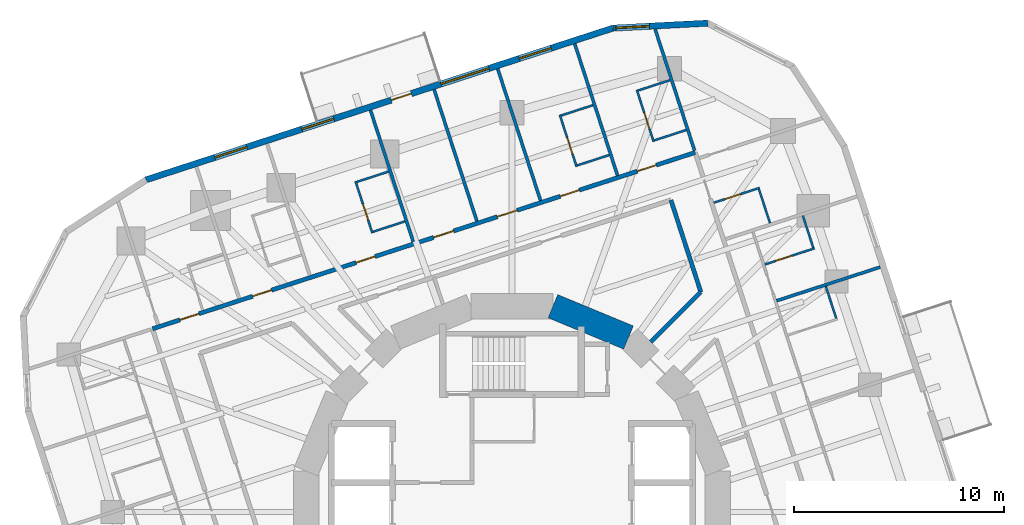
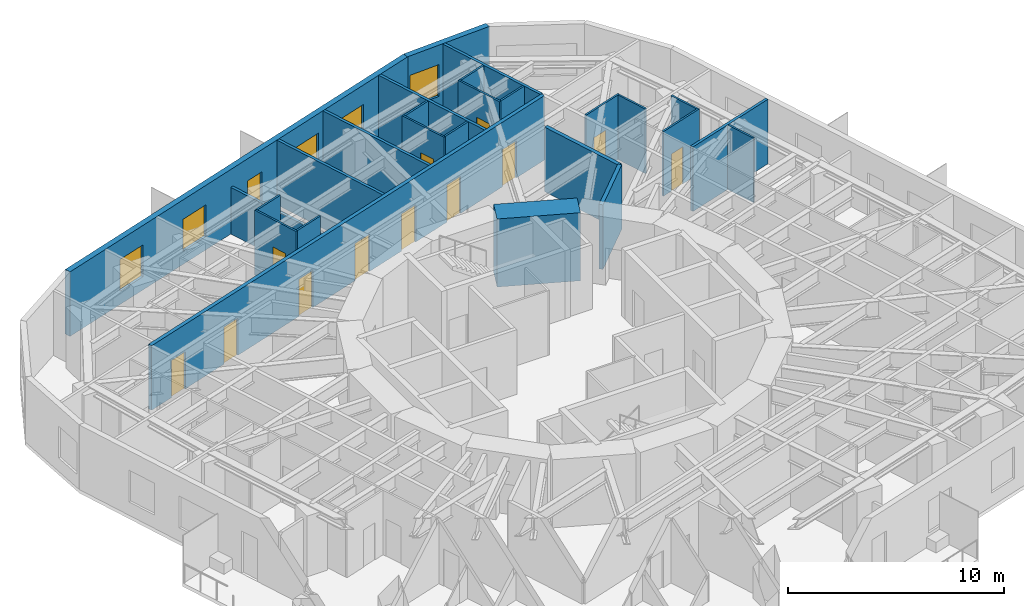
# One storey, part 9 of 12: 26 walls, 13 doors, 5 windows, 18 openings.
"""IFC4 building model written with IfcOpenShell, lengths in metres."""

from ifc_helpers import new_model, si_unit, direction, frame, frame_2d, origin, place, context, subcontext, project, spatial, rectangle, extrude, material, layer, layer_set, type_object, element, fill, save


model = new_model("IFC4")

# Units and contexts
model_context = context("Model", 3, precision=1e-05, world=origin(), true_north=direction((0.0, 1.0)))
body_context = subcontext(model_context, "Body", "Model", "MODEL_VIEW")
ifc_project = project(units=[si_unit("LENGTHUNIT", "METRE"), si_unit("AREAUNIT", "SQUARE_METRE"), si_unit("VOLUMEUNIT", "CUBIC_METRE"), si_unit("PLANEANGLEUNIT", "RADIAN"), si_unit("MASSUNIT", "GRAM", prefix="KILO")], contexts=[model_context])

# Site, building, storey
site_placement = place(None, origin())
site = spatial("IfcSite", under=ifc_project, at=site_placement, CompositionType="ELEMENT")
building_placement = place(site_placement, origin())
building = spatial("IfcBuilding", under=site, at=building_placement, Name="Nakasero Lantern House", CompositionType="ELEMENT")
storey_placement = place(building_placement, frame((0.0, 0.0, 172.60009765625)))
storey = spatial("IfcBuildingStorey", under=building, at=storey_placement, Name="L42", CompositionType="ELEMENT", Elevation=172.60009765625)

# Wall
ifc_material_1 = material(Name="Concrete C50/60", Category="concrete")
ifc_layer_1 = layer(ifc_material_1, 1.199951171875)
ifc_layer_set_1 = layer_set([ifc_layer_1], Name="Core wall 1200")
wall_type_1 = type_object("IfcWallType", Name="Core wall 1200", PredefinedType="SHEAR", material=ifc_layer_set_1)
wall_1_placement = place(storey_placement, frame((5.5556640625, 8.314697265625, 0.0), z_axis=(0.0, 0.0, 1.0), x_axis=(-0.923876507187, 0.382690736062, 0.0)))
element("IfcWall", 1, at=wall_1_placement, inside=storey, type_object=wall_type_1, Name="Core wall L42 facet 3", PredefinedType="SHEAR", context=body_context, shape_type="SweptSolid", body=[
    extrude(rectangle(XDim=3.90185546875, YDim=1.199951171875, at=frame_2d((1.950927734375, 0.0))), origin(), (0.0, 0.0, 1.0), 3.849853515625),
])

# Wall, openings, doors
ifc_material_2 = material(Name="Blockwork", Category="masonry")
ifc_layer_2 = layer(ifc_material_2, 0.199951171875)
ifc_layer_set_2 = layer_set([ifc_layer_2], Name="Corridor wall 200")
wall_type_2 = type_object("IfcWallType", Name="Corridor wall 200", PredefinedType="PARTITIONING", material=ifc_layer_set_2)
wall_2_placement = place(storey_placement, frame((8.731689453125, 17.136962890625, 0.0), z_axis=(0.0, 0.0, 1.0), x_axis=(-0.951056097323, -0.309018283835, 0.0)))
wall_2 = element("IfcWall", 2, at=wall_2_placement, inside=storey, type_object=wall_type_2, Name="Corridor wall L42 CW1", PredefinedType="PARTITIONING", context=body_context, shape_type="SweptSolid", body=[
    extrude(rectangle(XDim=27.199951171875, YDim=0.199951171875, at=frame_2d((13.60009765625, 0.0))), origin(), (0.0, 0.0, 1.0), 3.64990234375),
])
opening_1_placement = place(wall_2_placement, frame((1.949951171875, 0.0, 0.0)))
opening_1 = element("IfcOpeningElement", 3, at=opening_1_placement, cuts=wall_2, Name="Opening D01", PredefinedType="OPENING", context=body_context, shape_type="SweptSolid", body=[
    extrude(rectangle(XDim=0.949951171875, YDim=2.10009765625, at=frame_2d((0.47509765625, 1.050048828125))), frame((0.0, 0.119873046875, 0.0), z_axis=(0.0, -1.0, 0.0), x_axis=(1.0, 0.0, 0.0)), (0.0, 0.0, 1.0), 0.239990234375),
])
opening_2_placement = place(wall_2_placement, frame((5.8095703125, 0.0, 0.0)))
opening_2 = element("IfcOpeningElement", 4, at=opening_2_placement, cuts=wall_2, Name="Opening D01", PredefinedType="OPENING", context=body_context, shape_type="SweptSolid", body=[
    extrude(rectangle(XDim=0.949951171875, YDim=2.10009765625, at=frame_2d((0.47509765625, 1.050048828125))), frame((0.0, 0.119873046875, 0.0), z_axis=(0.0, -1.0, 0.0), x_axis=(1.0, 0.0, 0.0)), (0.0, 0.0, 1.0), 0.239990234375),
])
opening_3_placement = place(wall_2_placement, frame((16.047119140625, 0.0, 0.0)))
opening_3 = element("IfcOpeningElement", 5, at=opening_3_placement, cuts=wall_2, Name="Opening D01", PredefinedType="OPENING", context=body_context, shape_type="SweptSolid", body=[
    extrude(rectangle(XDim=0.949951171875, YDim=2.10009765625, at=frame_2d((0.47509765625, 1.050048828125))), frame((0.0, 0.119873046875, 0.0), z_axis=(0.0, -1.0, 0.0), x_axis=(1.0, 0.0, 0.0)), (0.0, 0.0, 1.0), 0.239990234375),
])
opening_4_placement = place(wall_2_placement, frame((21.22802734375, 0.0, 0.0)))
opening_4 = element("IfcOpeningElement", 6, at=opening_4_placement, cuts=wall_2, Name="Opening D01", PredefinedType="OPENING", context=body_context, shape_type="SweptSolid", body=[
    extrude(rectangle(XDim=0.949951171875, YDim=2.10009765625, at=frame_2d((0.47509765625, 1.050048828125))), frame((0.0, 0.119873046875, 0.0), z_axis=(0.0, -1.0, 0.0), x_axis=(1.0, 0.0, 0.0)), (0.0, 0.0, 1.0), 0.239990234375),
])
opening_5_placement = place(wall_2_placement, frame((24.872314453125, 0.0, 0.0)))
opening_5 = element("IfcOpeningElement", 7, at=opening_5_placement, cuts=wall_2, Name="Opening D01", PredefinedType="OPENING", context=body_context, shape_type="SweptSolid", body=[
    extrude(rectangle(XDim=0.949951171875, YDim=2.10009765625, at=frame_2d((0.47509765625, 1.050048828125))), frame((0.0, 0.119873046875, 0.0), z_axis=(0.0, -1.0, 0.0), x_axis=(1.0, 0.0, 0.0)), (0.0, 0.0, 1.0), 0.239990234375),
])
opening_6_placement = place(wall_2_placement, frame((8.9189453125, 0.0, 0.0)))
opening_6 = element("IfcOpeningElement", 8, at=opening_6_placement, cuts=wall_2, Name="Opening D03", PredefinedType="OPENING", context=body_context, shape_type="SweptSolid", body=[
    extrude(rectangle(XDim=1.0, YDim=2.10009765625, at=frame_2d((0.5, 1.050048828125))), frame((0.0, 0.119873046875, 0.0), z_axis=(0.0, -1.0, 0.0), x_axis=(1.0, 0.0, 0.0)), (0.0, 0.0, 1.0), 0.239990234375),
])
opening_7_placement = place(wall_2_placement, frame((12.10791015625, 0.0, 0.0)))
opening_7 = element("IfcOpeningElement", 9, at=opening_7_placement, cuts=wall_2, Name="Opening D03", PredefinedType="OPENING", context=body_context, shape_type="SweptSolid", body=[
    extrude(rectangle(XDim=1.0, YDim=2.10009765625, at=frame_2d((0.5, 1.050048828125))), frame((0.0, 0.119873046875, 0.0), z_axis=(0.0, -1.0, 0.0), x_axis=(1.0, 0.0, 0.0)), (0.0, 0.0, 1.0), 0.239990234375),
])
ifc_material_3 = material(Name="Timber C24", Category="wood")
door_type_1 = type_object("IfcDoorType", Name="Bedroom door FD30S 950", OperationType="SINGLE_SWING_LEFT", PredefinedType="DOOR", material=ifc_material_3)
door_1_placement = place(opening_1_placement, origin())
door_1 = element("IfcDoor", 10, at=door_1_placement, inside=storey, type_object=door_type_1, Name="Door L42 D1-00", OperationType="SINGLE_SWING_LEFT", OverallHeight=2.10009765625, OverallWidth=0.949951171875, PredefinedType="DOOR", context=body_context, shape_type="SweptSolid", body=[
    extrude(rectangle(XDim=0.949951171875, YDim=2.10009765625, at=frame_2d((0.47509765625, 1.050048828125))), frame((0.0, 0.02490234375, 0.0), z_axis=(0.0, -1.0, 0.0), x_axis=(1.0, 0.0, 0.0)), (0.0, 0.0, 1.0), 0.050048828125),
])
fill(opening_1, door_1)
door_2_placement = place(opening_2_placement, origin())
door_2 = element("IfcDoor", 11, at=door_2_placement, inside=storey, type_object=door_type_1, Name="Door L42 D1-01", OperationType="SINGLE_SWING_LEFT", OverallHeight=2.10009765625, OverallWidth=0.949951171875, PredefinedType="DOOR", context=body_context, shape_type="SweptSolid", body=[
    extrude(rectangle(XDim=0.949951171875, YDim=2.10009765625, at=frame_2d((0.47509765625, 1.050048828125))), frame((0.0, 0.02490234375, 0.0), z_axis=(0.0, -1.0, 0.0), x_axis=(1.0, 0.0, 0.0)), (0.0, 0.0, 1.0), 0.050048828125),
])
fill(opening_2, door_2)
door_3_placement = place(opening_3_placement, origin())
door_3 = element("IfcDoor", 12, at=door_3_placement, inside=storey, type_object=door_type_1, Name="Door L42 D1-04", OperationType="SINGLE_SWING_RIGHT", OverallHeight=2.10009765625, OverallWidth=0.949951171875, PredefinedType="DOOR", context=body_context, shape_type="SweptSolid", body=[
    extrude(rectangle(XDim=0.949951171875, YDim=2.10009765625, at=frame_2d((0.47509765625, 1.050048828125))), frame((0.0, 0.02490234375, 0.0), z_axis=(0.0, -1.0, 0.0), x_axis=(1.0, 0.0, 0.0)), (0.0, 0.0, 1.0), 0.050048828125),
])
fill(opening_3, door_3)
door_4_placement = place(opening_4_placement, origin())
door_4 = element("IfcDoor", 13, at=door_4_placement, inside=storey, type_object=door_type_1, Name="Door L42 D1-05", OperationType="SINGLE_SWING_RIGHT", OverallHeight=2.10009765625, OverallWidth=0.949951171875, PredefinedType="DOOR", context=body_context, shape_type="SweptSolid", body=[
    extrude(rectangle(XDim=0.949951171875, YDim=2.10009765625, at=frame_2d((0.47509765625, 1.050048828125))), frame((0.0, 0.02490234375, 0.0), z_axis=(0.0, -1.0, 0.0), x_axis=(1.0, 0.0, 0.0)), (0.0, 0.0, 1.0), 0.050048828125),
])
fill(opening_4, door_4)
door_5_placement = place(opening_5_placement, origin())
door_5 = element("IfcDoor", 14, at=door_5_placement, inside=storey, type_object=door_type_1, Name="Door L42 D1-06", OperationType="SINGLE_SWING_RIGHT", OverallHeight=2.10009765625, OverallWidth=0.949951171875, PredefinedType="DOOR", context=body_context, shape_type="SweptSolid", body=[
    extrude(rectangle(XDim=0.949951171875, YDim=2.10009765625, at=frame_2d((0.47509765625, 1.050048828125))), frame((0.0, 0.02490234375, 0.0), z_axis=(0.0, -1.0, 0.0), x_axis=(1.0, 0.0, 0.0)), (0.0, 0.0, 1.0), 0.050048828125),
])
fill(opening_5, door_5)
ifc_material_4 = material(Name="Timber C24", Category="wood")
door_type_2 = type_object("IfcDoorType", Name="Lounge door FD30S 1000", OperationType="SINGLE_SWING_LEFT", PredefinedType="DOOR", material=ifc_material_4)
door_6_placement = place(opening_6_placement, origin())
door_6 = element("IfcDoor", 15, at=door_6_placement, inside=storey, type_object=door_type_2, Name="Door L42 DK1", OperationType="SINGLE_SWING_LEFT", OverallHeight=2.10009765625, OverallWidth=1.0, PredefinedType="DOOR", context=body_context, shape_type="SweptSolid", body=[
    extrude(rectangle(XDim=1.0, YDim=2.10009765625, at=frame_2d((0.5, 1.050048828125))), frame((0.0, 0.02490234375, 0.0), z_axis=(0.0, -1.0, 0.0), x_axis=(1.0, 0.0, 0.0)), (0.0, 0.0, 1.0), 0.050048828125),
])
fill(opening_6, door_6)
door_7_placement = place(opening_7_placement, origin())
door_7 = element("IfcDoor", 16, at=door_7_placement, inside=storey, type_object=door_type_2, Name="Door L42 DK1-1", OperationType="SINGLE_SWING_LEFT", OverallHeight=2.10009765625, OverallWidth=1.0, PredefinedType="DOOR", context=body_context, shape_type="SweptSolid", body=[
    extrude(rectangle(XDim=1.0, YDim=2.10009765625, at=frame_2d((0.5, 1.050048828125))), frame((0.0, 0.02490234375, 0.0), z_axis=(0.0, -1.0, 0.0), x_axis=(1.0, 0.0, 0.0)), (0.0, 0.0, 1.0), 0.050048828125),
])
fill(opening_7, door_7)

# Walls
wall_3_placement = place(storey_placement, frame((9.00048828125, 10.4853515625, 0.0), z_axis=(0.0, 0.0, 1.0), x_axis=(-0.309020197406, 0.951055475561, 0.0)))
element("IfcWall", 17, at=wall_3_placement, inside=storey, type_object=wall_type_2, Name="Corridor wall L42 IW0-1", PredefinedType="PARTITIONING", context=body_context, shape_type="SweptSolid", body=[
    extrude(rectangle(XDim=4.609130859375, YDim=0.199951171875, at=frame_2d((2.3046875, 0.0))), origin(), (0.0, 0.0, 1.0), 3.64990234375),
])
wall_4_placement = place(storey_placement, frame((6.616943359375, 8.101806640625, 0.0), z_axis=(0.0, 0.0, 1.0), x_axis=(0.707106781187, 0.707106781187, 0.0)))
element("IfcWall", 18, at=wall_4_placement, inside=storey, type_object=wall_type_2, Name="Corridor wall L42 PS02a", PredefinedType="PARTITIONING", context=body_context, shape_type="SweptSolid", body=[
    extrude(rectangle(XDim=3.370849609375, YDim=0.199951171875, at=frame_2d((1.685546875, 0.0))), origin(), (0.0, 0.0, 1.0), 3.64990234375),
])
ifc_material_5 = material(Name="Blockwork", Category="masonry")
ifc_layer_3 = layer(ifc_material_5, 0.10009765625)
ifc_layer_set_3 = layer_set([ifc_layer_3], Name="En-suite wall 100")
wall_type_3 = type_object("IfcWallType", Name="En-suite wall 100", PredefinedType="PARTITIONING", material=ifc_layer_set_3)
wall_5_placement = place(storey_placement, frame((15.4541015625, 9.23046875, 0.0), z_axis=(0.0, 0.0, 1.0), x_axis=(-0.309124022649, 0.951021734043, 0.0)))
element("IfcWall", 19, at=wall_5_placement, inside=storey, type_object=wall_type_3, Name="En-suite wall L42 EE0-04", PredefinedType="PARTITIONING", context=body_context, shape_type="SweptSolid", body=[
    extrude(rectangle(XDim=1.60009765625, YDim=0.10009765625, at=frame_2d((0.800048828125, 0.0))), origin(), (0.0, 0.0, 1.0), 3.64990234375),
])

# Wall, opening, door
wall_6_placement = place(storey_placement, frame((12.044189453125, 11.796630859375, 0.0), z_axis=(0.0, 0.0, 1.0), x_axis=(0.951067792613, 0.308982287281, 0.0)))
wall_6 = element("IfcWall", 20, at=wall_6_placement, inside=storey, type_object=wall_type_3, Name="En-suite wall L42 ES0-05", PredefinedType="PARTITIONING", context=body_context, shape_type="SweptSolid", body=[
    extrude(rectangle(XDim=2.5, YDim=0.10009765625, at=frame_2d((1.25, 0.0))), origin(), (0.0, 0.0, 1.0), 3.64990234375),
])
opening_8_placement = place(wall_6_placement, frame((0.550048828125, 0.0, 0.0)))
opening_8 = element("IfcOpeningElement", 21, at=opening_8_placement, cuts=wall_6, Name="Opening D02", PredefinedType="OPENING", context=body_context, shape_type="SweptSolid", body=[
    extrude(rectangle(XDim=0.800048828125, YDim=2.10009765625, at=frame_2d((0.39990234375, 1.050048828125))), frame((0.0, 0.070068359375, 0.0), z_axis=(0.0, -1.0, 0.0), x_axis=(1.0, 0.0, 0.0)), (0.0, 0.0, 1.0), 0.14013671875),
])
ifc_material_6 = material(Name="Timber C24", Category="wood")
door_type_3 = type_object("IfcDoorType", Name="En-suite door 800", OperationType="SINGLE_SWING_RIGHT", PredefinedType="DOOR", material=ifc_material_6)
door_8_placement = place(opening_8_placement, origin())
door_8 = element("IfcDoor", 22, at=door_8_placement, inside=storey, type_object=door_type_3, Name="Door L42 DE0-05", OperationType="SINGLE_SWING_LEFT", OverallHeight=2.10009765625, OverallWidth=0.800048828125, PredefinedType="DOOR", context=body_context, shape_type="SweptSolid", body=[
    extrude(rectangle(XDim=0.800048828125, YDim=2.10009765625, at=frame_2d((0.39990234375, 1.050048828125))), frame((0.0, 0.02490234375, 0.0), z_axis=(0.0, -1.0, 0.0), x_axis=(1.0, 0.0, 0.0)), (0.0, 0.0, 1.0), 0.050048828125),
])
fill(opening_8, door_8)

# Wall
wall_7_placement = place(storey_placement, frame((14.358642578125, 12.601318359375, 0.0), z_axis=(0.0, 0.0, 1.0), x_axis=(-0.308986014439, 0.951066581729, 0.0)))
element("IfcWall", 23, at=wall_7_placement, inside=storey, type_object=wall_type_3, Name="En-suite wall L42 EE0-05", PredefinedType="PARTITIONING", context=body_context, shape_type="SweptSolid", body=[
    extrude(rectangle(XDim=1.60009765625, YDim=0.10009765625, at=frame_2d((0.800048828125, 0.0))), origin(), (0.0, 0.0, 1.0), 3.64990234375),
])

# Wall, opening, door
wall_8_placement = place(storey_placement, frame((9.61572265625, 14.740234375, 0.0), z_axis=(0.0, 0.0, 1.0), x_axis=(0.951055129775, 0.309021261611, 0.0)))
wall_8 = element("IfcWall", 24, at=wall_8_placement, inside=storey, type_object=wall_type_3, Name="En-suite wall L42 ES0-06", PredefinedType="PARTITIONING", context=body_context, shape_type="SweptSolid", body=[
    extrude(rectangle(XDim=2.2998046875, YDim=0.10009765625, at=frame_2d((1.14990234375, 0.0))), origin(), (0.0, 0.0, 1.0), 3.64990234375),
])
opening_9_placement = place(wall_8_placement, frame((0.550048828125, 0.0, 0.0)))
opening_9 = element("IfcOpeningElement", 25, at=opening_9_placement, cuts=wall_8, Name="Opening D02", PredefinedType="OPENING", context=body_context, shape_type="SweptSolid", body=[
    extrude(rectangle(XDim=0.800048828125, YDim=2.10009765625, at=frame_2d((0.39990234375, 1.050048828125))), frame((0.0, 0.070068359375, 0.0), z_axis=(0.0, -1.0, 0.0), x_axis=(1.0, 0.0, 0.0)), (0.0, 0.0, 1.0), 0.14013671875),
])
door_9_placement = place(opening_9_placement, origin())
door_9 = element("IfcDoor", 26, at=door_9_placement, inside=storey, type_object=door_type_3, Name="Door L42 DE0-06", OperationType="SINGLE_SWING_LEFT", OverallHeight=2.10009765625, OverallWidth=0.800048828125, PredefinedType="DOOR", context=body_context, shape_type="SweptSolid", body=[
    extrude(rectangle(XDim=0.800048828125, YDim=2.10009765625, at=frame_2d((0.39990234375, 1.050048828125))), frame((0.0, 0.02490234375, 0.0), z_axis=(0.0, -1.0, 0.0), x_axis=(1.0, 0.0, 0.0)), (0.0, 0.0, 1.0), 0.050048828125),
])
fill(opening_9, door_9)

# Wall
wall_9_placement = place(storey_placement, frame((12.29638671875, 13.771240234375, 0.0), z_axis=(0.0, 0.0, 1.0), x_axis=(-0.309066587596, 0.951040401051, 0.0)))
element("IfcWall", 27, at=wall_9_placement, inside=storey, type_object=wall_type_3, Name="En-suite wall L42 EE0-06", PredefinedType="PARTITIONING", context=body_context, shape_type="SweptSolid", body=[
    extrude(rectangle(XDim=1.699951171875, YDim=0.10009765625, at=frame_2d((0.85009765625, 0.0))), origin(), (0.0, 0.0, 1.0), 3.64990234375),
])

# Wall, opening, door
wall_10_placement = place(storey_placement, frame((6.751220703125, 17.650146484375, 0.0), z_axis=(0.0, 0.0, 1.0), x_axis=(-0.309035112607, 0.951050629134, 0.0)))
wall_10 = element("IfcWall", 28, at=wall_10_placement, inside=storey, type_object=wall_type_3, Name="En-suite wall L42 ES1-00", PredefinedType="PARTITIONING", context=body_context, shape_type="SweptSolid", body=[
    extrude(rectangle(XDim=2.599853515625, YDim=0.10009765625, at=frame_2d((1.2998046875, 0.0))), origin(), (0.0, 0.0, 1.0), 3.64990234375),
])
opening_10_placement = place(wall_10_placement, frame((0.64990234375, 0.0, 0.0)))
opening_10 = element("IfcOpeningElement", 29, at=opening_10_placement, cuts=wall_10, Name="Opening D02", PredefinedType="OPENING", context=body_context, shape_type="SweptSolid", body=[
    extrude(rectangle(XDim=0.800048828125, YDim=2.10009765625, at=frame_2d((0.39990234375, 1.050048828125))), frame((0.0, 0.070068359375, 0.0), z_axis=(0.0, -1.0, 0.0), x_axis=(1.0, 0.0, 0.0)), (0.0, 0.0, 1.0), 0.14013671875),
])
door_10_placement = place(opening_10_placement, origin())
door_10 = element("IfcDoor", 30, at=door_10_placement, inside=storey, type_object=door_type_3, Name="Door L42 DE1-00", OperationType="SINGLE_SWING_LEFT", OverallHeight=2.10009765625, OverallWidth=0.800048828125, PredefinedType="DOOR", context=body_context, shape_type="SweptSolid", body=[
    extrude(rectangle(XDim=0.800048828125, YDim=2.10009765625, at=frame_2d((0.39990234375, 1.050048828125))), frame((0.0, 0.02490234375, 0.0), z_axis=(0.0, -1.0, 0.0), x_axis=(1.0, 0.0, 0.0)), (0.0, 0.0, 1.0), 0.050048828125),
])
fill(opening_10, door_10)

# Walls
wall_11_placement = place(storey_placement, frame((7.532470703125, 20.585205078125, 0.0), z_axis=(0.0, 0.0, 1.0), x_axis=(-0.951066581729, -0.308986014439, 0.0)))
element("IfcWall", 31, at=wall_11_placement, inside=storey, type_object=wall_type_3, Name="En-suite wall L42 EE1-00", PredefinedType="PARTITIONING", context=body_context, shape_type="SweptSolid", body=[
    extrude(rectangle(XDim=1.60009765625, YDim=0.10009765625, at=frame_2d((0.800048828125, 0.0))), origin(), (0.0, 0.0, 1.0), 3.64990234375),
])
wall_12_placement = place(storey_placement, frame((8.304931640625, 18.20751953125, 0.0), z_axis=(0.0, 0.0, 1.0), x_axis=(-0.951052010842, -0.309030860391, 0.0)))
element("IfcWall", 32, at=wall_12_placement, inside=storey, type_object=wall_type_3, Name="En-suite wall L42 EI1-00", PredefinedType="PARTITIONING", context=body_context, shape_type="SweptSolid", body=[
    extrude(rectangle(XDim=1.599853515625, YDim=0.10009765625, at=frame_2d((0.7998046875, 0.0))), origin(), (0.0, 0.0, 1.0), 3.64990234375),
])

# Wall, opening, door
wall_13_placement = place(storey_placement, frame((3.08056640625, 16.45751953125, 0.0), z_axis=(0.0, 0.0, 1.0), x_axis=(-0.308950173806, 0.951078225019, 0.0)))
wall_13 = element("IfcWall", 33, at=wall_13_placement, inside=storey, type_object=wall_type_3, Name="En-suite wall L42 ES1-01", PredefinedType="PARTITIONING", context=body_context, shape_type="SweptSolid", body=[
    extrude(rectangle(XDim=2.599853515625, YDim=0.10009765625, at=frame_2d((1.2998046875, 0.0))), origin(), (0.0, 0.0, 1.0), 3.64990234375),
])
opening_11_placement = place(wall_13_placement, frame((0.64990234375, 0.0, 0.0)))
opening_11 = element("IfcOpeningElement", 34, at=opening_11_placement, cuts=wall_13, Name="Opening D02", PredefinedType="OPENING", context=body_context, shape_type="SweptSolid", body=[
    extrude(rectangle(XDim=0.800048828125, YDim=2.10009765625, at=frame_2d((0.39990234375, 1.050048828125))), frame((0.0, 0.070068359375, 0.0), z_axis=(0.0, -1.0, 0.0), x_axis=(1.0, 0.0, 0.0)), (0.0, 0.0, 1.0), 0.14013671875),
])
door_11_placement = place(opening_11_placement, origin())
door_11 = element("IfcDoor", 35, at=door_11_placement, inside=storey, type_object=door_type_3, Name="Door L42 DE1-01", OperationType="SINGLE_SWING_LEFT", OverallHeight=2.10009765625, OverallWidth=0.800048828125, PredefinedType="DOOR", context=body_context, shape_type="SweptSolid", body=[
    extrude(rectangle(XDim=0.800048828125, YDim=2.10009765625, at=frame_2d((0.39990234375, 1.050048828125))), frame((0.0, 0.02490234375, 0.0), z_axis=(0.0, -1.0, 0.0), x_axis=(1.0, 0.0, 0.0)), (0.0, 0.0, 1.0), 0.050048828125),
])
fill(opening_11, door_11)

# Walls
wall_14_placement = place(storey_placement, frame((3.86181640625, 19.392578125, 0.0), z_axis=(0.0, 0.0, 1.0), x_axis=(-0.951052010842, -0.309030860391, 0.0)))
element("IfcWall", 36, at=wall_14_placement, inside=storey, type_object=wall_type_3, Name="En-suite wall L42 EE1-01", PredefinedType="PARTITIONING", context=body_context, shape_type="SweptSolid", body=[
    extrude(rectangle(XDim=1.599853515625, YDim=0.10009765625, at=frame_2d((0.7998046875, 0.0))), origin(), (0.0, 0.0, 1.0), 3.64990234375),
])
wall_15_placement = place(storey_placement, frame((4.634521484375, 17.014892578125, 0.0), z_axis=(0.0, 0.0, 1.0), x_axis=(-0.951066581729, -0.308986014439, 0.0)))
element("IfcWall", 37, at=wall_15_placement, inside=storey, type_object=wall_type_3, Name="En-suite wall L42 EI1-01", PredefinedType="PARTITIONING", context=body_context, shape_type="SweptSolid", body=[
    extrude(rectangle(XDim=1.60009765625, YDim=0.10009765625, at=frame_2d((0.800048828125, 0.0))), origin(), (0.0, 0.0, 1.0), 3.64990234375),
])

# Wall, opening, door
wall_16_placement = place(storey_placement, frame((-6.65576171875, 13.2939453125, 0.0), z_axis=(0.0, 0.0, 1.0), x_axis=(-0.309035112607, 0.951050629134, 0.0)))
wall_16 = element("IfcWall", 38, at=wall_16_placement, inside=storey, type_object=wall_type_3, Name="En-suite wall L42 ES1-04", PredefinedType="PARTITIONING", context=body_context, shape_type="SweptSolid", body=[
    extrude(rectangle(XDim=2.599853515625, YDim=0.10009765625, at=frame_2d((1.2998046875, 0.0))), origin(), (0.0, 0.0, 1.0), 3.64990234375),
])
opening_12_placement = place(wall_16_placement, frame((0.64990234375, 0.0, 0.0)))
opening_12 = element("IfcOpeningElement", 39, at=opening_12_placement, cuts=wall_16, Name="Opening D02", PredefinedType="OPENING", context=body_context, shape_type="SweptSolid", body=[
    extrude(rectangle(XDim=0.800048828125, YDim=2.10009765625, at=frame_2d((0.39990234375, 1.050048828125))), frame((0.0, 0.070068359375, 0.0), z_axis=(0.0, -1.0, 0.0), x_axis=(1.0, 0.0, 0.0)), (0.0, 0.0, 1.0), 0.14013671875),
])
door_12_placement = place(opening_12_placement, origin())
door_12 = element("IfcDoor", 40, at=door_12_placement, inside=storey, type_object=door_type_3, Name="Door L42 DE1-04", OperationType="SINGLE_SWING_LEFT", OverallHeight=2.10009765625, OverallWidth=0.800048828125, PredefinedType="DOOR", context=body_context, shape_type="SweptSolid", body=[
    extrude(rectangle(XDim=0.800048828125, YDim=2.10009765625, at=frame_2d((0.39990234375, 1.050048828125))), frame((0.0, 0.02490234375, 0.0), z_axis=(0.0, -1.0, 0.0), x_axis=(1.0, 0.0, 0.0)), (0.0, 0.0, 1.0), 0.050048828125),
])
fill(opening_12, door_12)

# Walls
for number, where, z_axis, x_axis, name in (
    (41, (-5.87451171875, 16.22900390625, 0.0), (0.0, 0.0, 1.0), (-0.951066581729, -0.308986014439, 0.0), "En-suite wall L42 EE1-04"),
    (42, (-5.10205078125, 13.851318359375, 0.0), (0.0, 0.0, 1.0), (-0.951066581729, -0.308986014439, 0.0), "En-suite wall L42 EI1-04"),
):
    element("IfcWall", number, at=place(storey_placement, frame(where, z_axis=z_axis, x_axis=x_axis)), inside=storey, type_object=wall_type_3, Name=name, PredefinedType="PARTITIONING", context=body_context, shape_type="SweptSolid", body=[
        extrude(rectangle(XDim=1.60009765625, YDim=0.10009765625, at=frame_2d((0.800048828125, 0.0))), origin(), (0.0, 0.0, 1.0), 3.64990234375),
    ])

# Wall, opening, window
ifc_material_7 = material(Name="Aluminium rainscreen on blockwork", Category="masonry")
ifc_layer_4 = layer(ifc_material_7, 0.300048828125)
ifc_layer_set_4 = layer_set([ifc_layer_4], Name="Facade wall 300")
wall_type_4 = type_object("IfcWallType", Name="Facade wall 300", PredefinedType="SOLIDWALL", material=ifc_layer_set_4)
wall_17_placement = place(storey_placement, frame((9.3310546875, 23.3017578125, 0.0), z_axis=(0.0, 0.0, 1.0), x_axis=(-0.998629419044, -0.052338164079, 0.0)))
wall_17 = element("IfcWall", 43, at=wall_17_placement, inside=storey, type_object=wall_type_4, Name="Facade wall L42 FW0C3", PredefinedType="SOLIDWALL", context=body_context, shape_type="SweptSolid", body=[
    extrude(rectangle(XDim=4.529296875, YDim=0.300048828125, at=frame_2d((2.2646484375, 0.0))), origin(), (0.0, 0.0, 1.0), 3.64990234375),
])
opening_13_placement = place(wall_17_placement, frame((2.784912109375, 0.0, 0.75)))
opening_13 = element("IfcOpeningElement", 44, at=opening_13_placement, cuts=wall_17, Name="Opening W01", PredefinedType="OPENING", context=body_context, shape_type="SweptSolid", body=[
    extrude(rectangle(XDim=1.60009765625, YDim=1.800048828125, at=frame_2d((0.800048828125, 0.89990234375))), frame((0.0, 0.169921875, 0.0), z_axis=(0.0, -1.0, 0.0), x_axis=(1.0, 0.0, 0.0)), (0.0, 0.0, 1.0), 0.340087890625),
])
ifc_material_8 = material(Name="Aluminium 6063-T6 and glass", Category="aluminium")
window_type_1 = type_object("IfcWindowType", Name="Bedroom window 1600x1800", PartitioningType="SINGLE_PANEL", PredefinedType="WINDOW", material=ifc_material_8)
window_1_placement = place(opening_13_placement, origin())
window_1 = element("IfcWindow", 45, at=window_1_placement, inside=storey, type_object=window_type_1, Name="Window L42 WN1-00", OverallHeight=1.800048828125, OverallWidth=1.60009765625, PartitioningType="SINGLE_PANEL", PredefinedType="WINDOW", context=body_context, shape_type="SweptSolid", body=[
    extrude(rectangle(XDim=1.60009765625, YDim=1.800048828125, at=frame_2d((0.800048828125, 0.89990234375))), frame((0.0, 0.030029296875, 0.0), z_axis=(0.0, -1.0, 0.0), x_axis=(1.0, 0.0, 0.0)), (0.0, 0.0, 1.0), 0.06005859375),
])
fill(opening_13, window_1)

# Wall, openings, door, windows
wall_18_placement = place(storey_placement, frame((4.807861328125, 23.064697265625, 0.0), z_axis=(0.0, 0.0, 1.0), x_axis=(-0.951053618334, -0.30902591324, 0.0)))
wall_18 = element("IfcWall", 46, at=wall_18_placement, inside=storey, type_object=wall_type_4, Name="Facade wall L42 FW1S", PredefinedType="SOLIDWALL", context=body_context, shape_type="SweptSolid", body=[
    extrude(rectangle(XDim=23.39990234375, YDim=0.300048828125, at=frame_2d((11.699951171875, 0.0))), origin(), (0.0, 0.0, 1.0), 3.64990234375),
])
opening_14_placement = place(wall_18_placement, frame((3.089111328125, 0.0, 0.75)))
opening_14 = element("IfcOpeningElement", 47, at=opening_14_placement, cuts=wall_18, Name="Opening W01", PredefinedType="OPENING", context=body_context, shape_type="SweptSolid", body=[
    extrude(rectangle(XDim=1.60009765625, YDim=1.800048828125, at=frame_2d((0.800048828125, 0.89990234375))), frame((0.0, 0.169921875, 0.0), z_axis=(0.0, -1.0, 0.0), x_axis=(1.0, 0.0, 0.0)), (0.0, 0.0, 1.0), 0.340087890625),
])
opening_15_placement = place(wall_18_placement, frame((13.987548828125, 0.0, 0.75)))
opening_15 = element("IfcOpeningElement", 48, at=opening_15_placement, cuts=wall_18, Name="Opening W01", PredefinedType="OPENING", context=body_context, shape_type="SweptSolid", body=[
    extrude(rectangle(XDim=1.60009765625, YDim=1.800048828125, at=frame_2d((0.800048828125, 0.89990234375))), frame((0.0, 0.169921875, 0.0), z_axis=(0.0, -1.0, 0.0), x_axis=(1.0, 0.0, 0.0)), (0.0, 0.0, 1.0), 0.340087890625),
])
opening_16_placement = place(wall_18_placement, frame((18.350341796875, 0.0, 0.75)))
opening_16 = element("IfcOpeningElement", 49, at=opening_16_placement, cuts=wall_18, Name="Opening W01", PredefinedType="OPENING", context=body_context, shape_type="SweptSolid", body=[
    extrude(rectangle(XDim=1.60009765625, YDim=1.800048828125, at=frame_2d((0.800048828125, 0.89990234375))), frame((0.0, 0.169921875, 0.0), z_axis=(0.0, -1.0, 0.0), x_axis=(1.0, 0.0, 0.0)), (0.0, 0.0, 1.0), 0.340087890625),
])
opening_17_placement = place(wall_18_placement, frame((6.21337890625, 0.0, 0.75)))
opening_17 = element("IfcOpeningElement", 50, at=opening_17_placement, cuts=wall_18, Name="Opening W03", PredefinedType="OPENING", context=body_context, shape_type="SweptSolid", body=[
    extrude(rectangle(XDim=2.39990234375, YDim=1.800048828125, at=frame_2d((1.199951171875, 0.89990234375))), frame((0.0, 0.169921875, 0.0), z_axis=(0.0, -1.0, 0.0), x_axis=(1.0, 0.0, 0.0)), (0.0, 0.0, 1.0), 0.340087890625),
])
opening_18_placement = place(wall_18_placement, frame((10.1025390625, 0.0, 0.0)))
opening_18 = element("IfcOpeningElement", 51, at=opening_18_placement, cuts=wall_18, Name="Opening D04", PredefinedType="OPENING", context=body_context, shape_type="SweptSolid", body=[
    extrude(rectangle(XDim=1.0, YDim=2.39990234375, at=frame_2d((0.5, 1.199951171875))), frame((0.0, 0.169921875, 0.0), z_axis=(0.0, -1.0, 0.0), x_axis=(1.0, 0.0, 0.0)), (0.0, 0.0, 1.0), 0.340087890625),
])
ifc_material_9 = material(Name="Aluminium 6063-T6 and glass", Category="aluminium")
door_type_4 = type_object("IfcDoorType", Name="Balcony door 1000x2400", OperationType="SINGLE_SWING_RIGHT", PredefinedType="DOOR", material=ifc_material_9)
door_13_placement = place(opening_18_placement, origin())
door_13 = element("IfcDoor", 52, at=door_13_placement, inside=storey, type_object=door_type_4, Name="Balcony door L42 DB1", OperationType="SINGLE_SWING_RIGHT", OverallHeight=2.39990234375, OverallWidth=1.0, PredefinedType="DOOR", context=body_context, shape_type="SweptSolid", body=[
    extrude(rectangle(XDim=1.0, YDim=2.39990234375, at=frame_2d((0.5, 1.199951171875))), frame((0.0, 0.02490234375, 0.0), z_axis=(0.0, -1.0, 0.0), x_axis=(1.0, 0.0, 0.0)), (0.0, 0.0, 1.0), 0.050048828125),
])
fill(opening_18, door_13)
window_2_placement = place(opening_14_placement, origin())
window_2 = element("IfcWindow", 53, at=window_2_placement, inside=storey, type_object=window_type_1, Name="Window L42 WN1-01", OverallHeight=1.800048828125, OverallWidth=1.60009765625, PartitioningType="SINGLE_PANEL", PredefinedType="WINDOW", context=body_context, shape_type="SweptSolid", body=[
    extrude(rectangle(XDim=1.60009765625, YDim=1.800048828125, at=frame_2d((0.800048828125, 0.89990234375))), frame((0.0, 0.030029296875, 0.0), z_axis=(0.0, -1.0, 0.0), x_axis=(1.0, 0.0, 0.0)), (0.0, 0.0, 1.0), 0.06005859375),
])
fill(opening_14, window_2)
window_3_placement = place(opening_15_placement, origin())
window_3 = element("IfcWindow", 54, at=window_3_placement, inside=storey, type_object=window_type_1, Name="Window L42 WN1-04", OverallHeight=1.800048828125, OverallWidth=1.60009765625, PartitioningType="SINGLE_PANEL", PredefinedType="WINDOW", context=body_context, shape_type="SweptSolid", body=[
    extrude(rectangle(XDim=1.60009765625, YDim=1.800048828125, at=frame_2d((0.800048828125, 0.89990234375))), frame((0.0, 0.030029296875, 0.0), z_axis=(0.0, -1.0, 0.0), x_axis=(1.0, 0.0, 0.0)), (0.0, 0.0, 1.0), 0.06005859375),
])
fill(opening_15, window_3)
window_4_placement = place(opening_16_placement, origin())
window_4 = element("IfcWindow", 55, at=window_4_placement, inside=storey, type_object=window_type_1, Name="Window L42 WN1-05", OverallHeight=1.800048828125, OverallWidth=1.60009765625, PartitioningType="SINGLE_PANEL", PredefinedType="WINDOW", context=body_context, shape_type="SweptSolid", body=[
    extrude(rectangle(XDim=1.60009765625, YDim=1.800048828125, at=frame_2d((0.800048828125, 0.89990234375))), frame((0.0, 0.030029296875, 0.0), z_axis=(0.0, -1.0, 0.0), x_axis=(1.0, 0.0, 0.0)), (0.0, 0.0, 1.0), 0.06005859375),
])
fill(opening_16, window_4)
ifc_material_10 = material(Name="Aluminium 6063-T6 and glass", Category="aluminium")
window_type_2 = type_object("IfcWindowType", Name="Lounge window 2400x1800", PartitioningType="SINGLE_PANEL", PredefinedType="WINDOW", material=ifc_material_10)
window_5_placement = place(opening_17_placement, origin())
window_5 = element("IfcWindow", 56, at=window_5_placement, inside=storey, type_object=window_type_2, Name="Window L42 WK1", OverallHeight=1.800048828125, OverallWidth=2.39990234375, PartitioningType="SINGLE_PANEL", PredefinedType="WINDOW", context=body_context, shape_type="SweptSolid", body=[
    extrude(rectangle(XDim=2.39990234375, YDim=1.800048828125, at=frame_2d((1.199951171875, 0.89990234375))), frame((0.0, 0.030029296875, 0.0), z_axis=(0.0, -1.0, 0.0), x_axis=(1.0, 0.0, 0.0)), (0.0, 0.0, 1.0), 0.06005859375),
])
fill(opening_17, window_5)

# Walls
ifc_material_11 = material(Name="Blockwork", Category="masonry")
ifc_layer_5 = layer(ifc_material_11, 0.14990234375)
ifc_layer_set_5 = layer_set([ifc_layer_5], Name="Party wall 150")
wall_type_5 = type_object("IfcWallType", Name="Party wall 150", PredefinedType="PARTITIONING", material=ifc_layer_set_5)
wall_19_placement = place(storey_placement, frame((12.606201171875, 10.06640625, 0.0), z_axis=(0.0, 0.0, 1.0), x_axis=(0.951055112834, 0.309021313752, 0.0)))
element("IfcWall", 57, at=wall_19_placement, inside=storey, type_object=wall_type_5, Name="Party wall L42 PW0-05", PredefinedType="PARTITIONING", context=body_context, shape_type="SweptSolid", body=[
    extrude(rectangle(XDim=5.2001953125, YDim=0.14990234375, at=frame_2d((2.60009765625, 0.0))), origin(), (0.0, 0.0, 1.0), 3.64990234375),
])
wall_20_placement = place(storey_placement, frame((8.700927734375, 17.232177734375, 0.0), z_axis=(0.0, 0.0, 1.0), x_axis=(-0.309015253813, 0.951057081836, 0.0)))
element("IfcWall", 58, at=wall_20_placement, inside=storey, type_object=wall_type_5, Name="Party wall L42 PW1-00", PredefinedType="PARTITIONING", context=body_context, shape_type="SweptSolid", body=[
    extrude(rectangle(XDim=6.080322265625, YDim=0.14990234375, at=frame_2d((3.0400390625, 0.0))), origin(), (0.0, 0.0, 1.0), 3.64990234375),
])
for number, where, z_axis, x_axis, name in (
    (59, (5.0302734375, 16.03955078125, 0.0), (0.0, 0.0, 1.0), (-0.309027520945, 0.951053095941, 0.0), "Party wall L42 PW1-01"),
    (60, (1.359619140625, 14.846923828125, 0.0), (0.0, 0.0, 1.0), (-0.309027520945, 0.951053095941, 0.0), "Party wall L42 PW1-02"),
):
    element("IfcWall", number, at=place(storey_placement, frame(where, z_axis=z_axis, x_axis=x_axis)), inside=storey, type_object=wall_type_5, Name=name, PredefinedType="PARTITIONING", context=body_context, shape_type="SweptSolid", body=[
        extrude(rectangle(XDim=6.599853515625, YDim=0.14990234375, at=frame_2d((3.2998046875, 0.0))), origin(), (0.0, 0.0, 1.0), 3.64990234375),
    ])
wall_21_placement = place(storey_placement, frame((-1.67333984375, 13.861328125, 0.0), z_axis=(0.0, 0.0, 1.0), x_axis=(-0.309016649428, 0.951056628375, 0.0)))
element("IfcWall", 61, at=wall_21_placement, inside=storey, type_object=wall_type_5, Name="Party wall L42 PW1-03", PredefinedType="PARTITIONING", context=body_context, shape_type="SweptSolid", body=[
    extrude(rectangle(XDim=6.60009765625, YDim=0.14990234375, at=frame_2d((3.300048828125, 0.0))), origin(), (0.0, 0.0, 1.0), 3.64990234375),
])
wall_22_placement = place(storey_placement, frame((-4.706298828125, 12.8759765625, 0.0), z_axis=(0.0, 0.0, 1.0), x_axis=(-0.309027520945, 0.951053095941, 0.0)))
element("IfcWall", 62, at=wall_22_placement, inside=storey, type_object=wall_type_5, Name="Party wall L42 PW1-04", PredefinedType="PARTITIONING", context=body_context, shape_type="SweptSolid", body=[
    extrude(rectangle(XDim=6.599853515625, YDim=0.14990234375, at=frame_2d((3.2998046875, 0.0))), origin(), (0.0, 0.0, 1.0), 2.641845703125),
])

save(model, "model.ifc")
